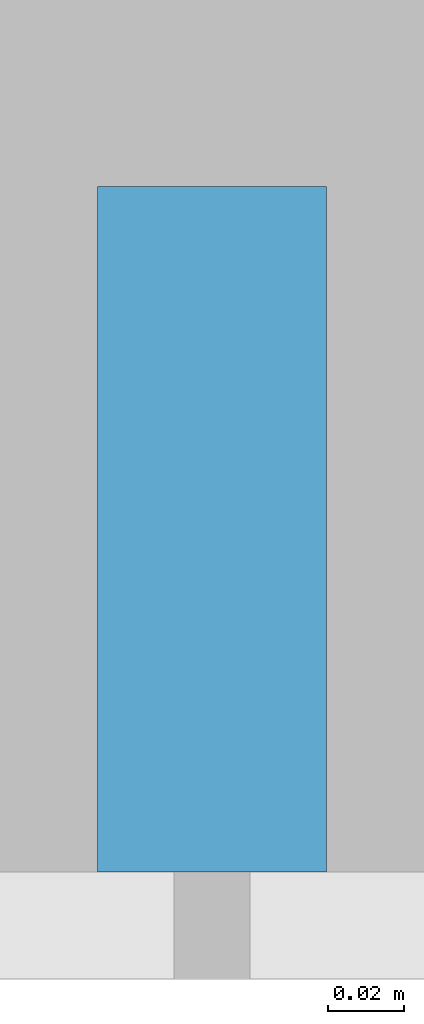
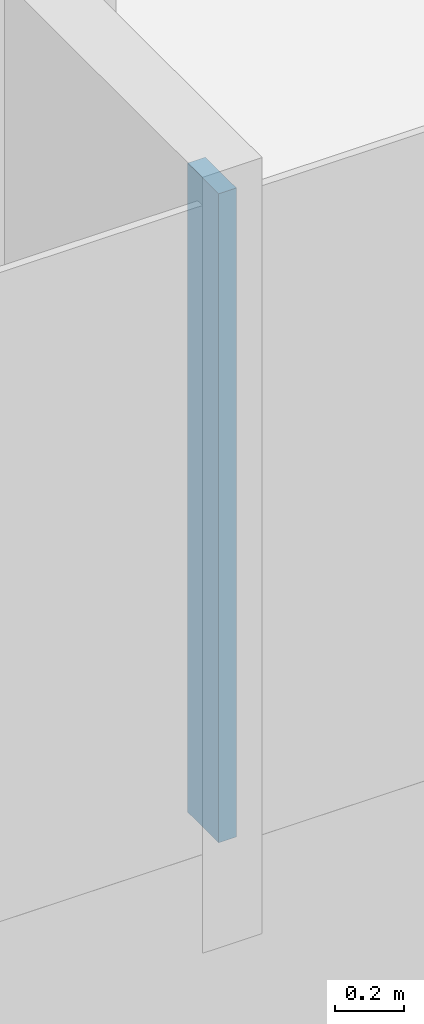
# One storey, part 5 of 25: 1 member, 1 element without a shape of its own.
"""IFC4 building model written with IfcOpenShell, lengths in metres."""

from ifc_helpers import new_model, si_unit, direction, frame, origin, origin_2d, place, context, subcontext, project, spatial, rectangle, extrude, material, layer, layer_set, material_profile, profile_set, type_object, element, aggregate, save


model = new_model("IFC4")

# Units and contexts
model_context = context("Model", 3, precision=1e-05, world=origin(), true_north=direction((0.0, 1.0)))
body_context = subcontext(model_context, "Body", "Model", "MODEL_VIEW")
ifc_project = project(units=[si_unit("LENGTHUNIT", "METRE"), si_unit("AREAUNIT", "SQUARE_METRE"), si_unit("VOLUMEUNIT", "CUBIC_METRE"), si_unit("PLANEANGLEUNIT", "RADIAN"), si_unit("MASSUNIT", "GRAM", prefix="KILO")], contexts=[model_context])

# Site, building, storey
site_placement = place(None, origin())
site = spatial("IfcSite", under=ifc_project, at=site_placement, CompositionType="ELEMENT")
building_placement = place(site_placement, origin())
building = spatial("IfcBuilding", under=site, at=building_placement, Name="Hakoniwa Tower and Hamabe Station Hall", CompositionType="ELEMENT")
storey_placement = place(building_placement, frame((0.0, 0.0, 202.60009765625)))
storey = spatial("IfcBuildingStorey", under=building, at=storey_placement, Name="L57", CompositionType="ELEMENT", Elevation=202.60009765625)

# Curtain wall, member
ifc_material_1 = material(Name="Dark low-e laminated glass", Category="glass")
ifc_layer = layer(ifc_material_1, 0.199951171875)
ifc_layer_set = layer_set([ifc_layer], Name="CW-1 UNITISED GUEST")
curtain_wall_type = type_object("IfcCurtainWallType", Name="CW-1 UNITISED GUEST", PredefinedType="NOTDEFINED", material=ifc_layer_set)
curtain_wall_placement = place(storey_placement, origin())
curtain_wall = element("IfcCurtainWall", 1, at=curtain_wall_placement, inside=storey, type_object=curtain_wall_type, Name="CW-1 curtain wall", PredefinedType="NOTDEFINED")
ifc_material_2 = material(Name="Aluminium 6063-T5 black anodised", Category="aluminium")
ifc_material_profile = material_profile(ifc_material_2, rectangle(XDim=0.06005859375, YDim=0.179931640625, at=origin_2d()), Name="CW-1 MULLION 60X180")
ifc_profile_set = profile_set([ifc_material_profile], Name="Aluminium 6063-T5 black anodised")
member_type = type_object("IfcMemberType", Name="CW-1 MULLION 60X180", PredefinedType="MULLION", material=ifc_profile_set)
member_placement = place(storey_placement, frame((16.800048828125, -15.431884765625, 0.349853515625), z_axis=(0.0, 0.0, 1.0), x_axis=(1.0, 0.0, 0.0)))
member = element("IfcMember", 2, at=member_placement, type_object=member_type, Name="CW-1 mullion", PredefinedType="MULLION", context=body_context, shape_type="SweptSolid", body=[
    extrude(rectangle(XDim=0.06005859375, YDim=0.179931640625, at=origin_2d()), origin(), (0.0, 0.0, 1.0), 2.300048828125),
])
aggregate(curtain_wall, [member])

save(model, "model.ifc")
